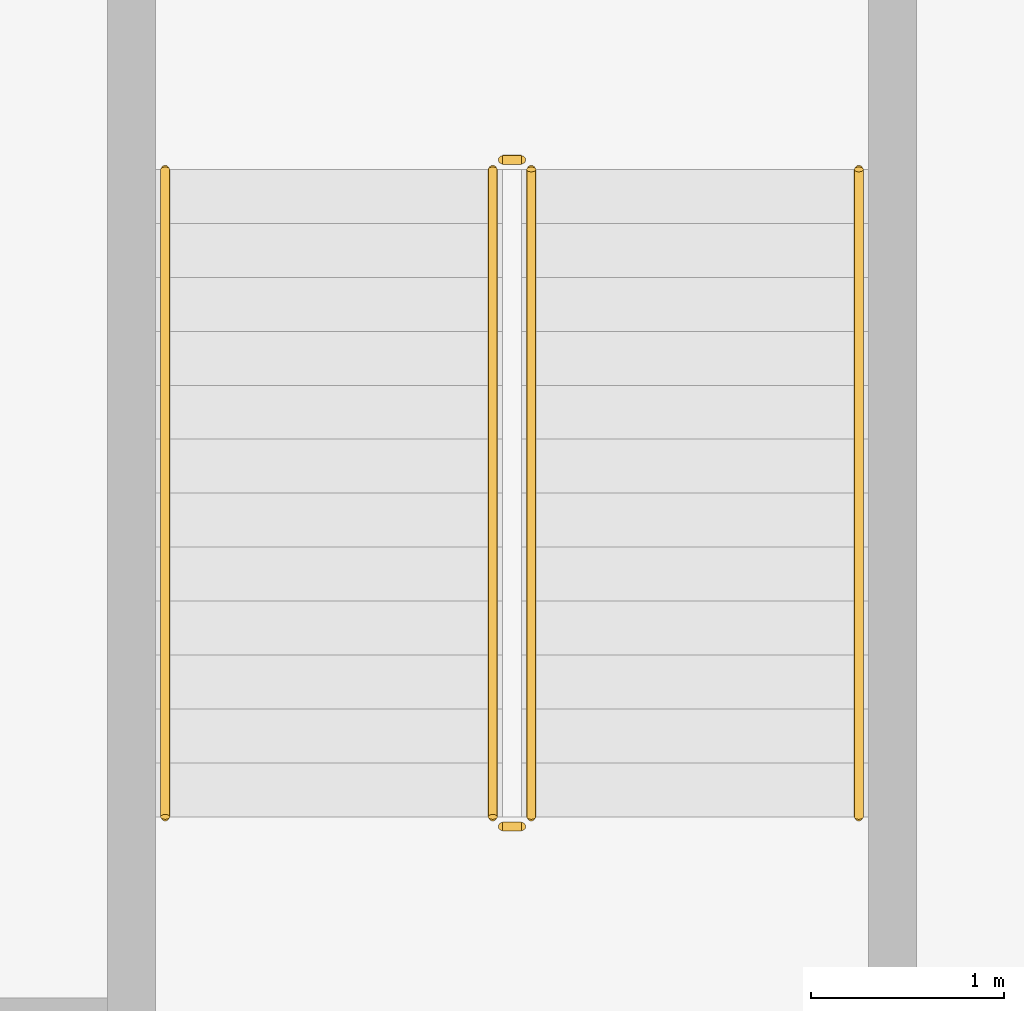
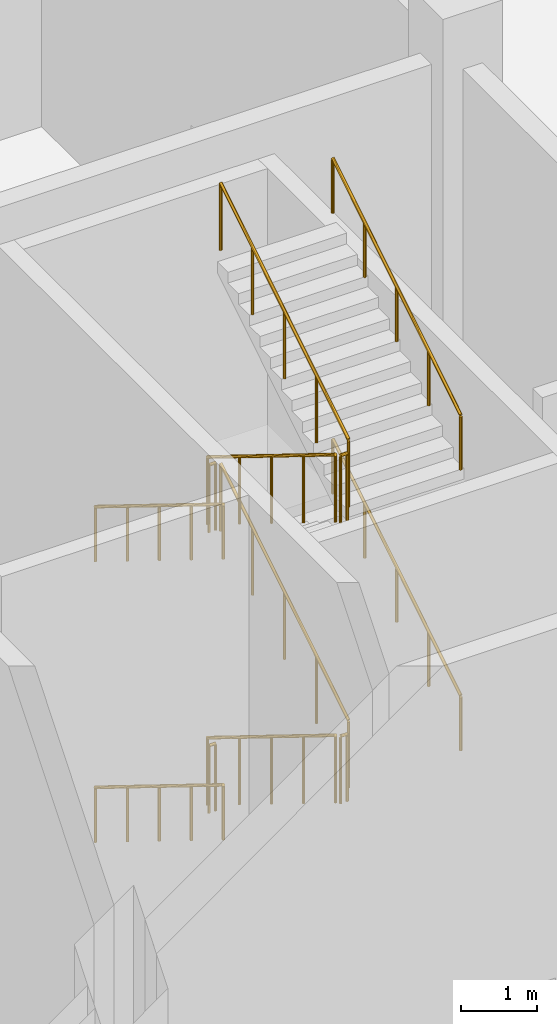
# One storey, part 37 of 43: 12 railings.
"""IFC4 building model written with IfcOpenShell, lengths in metres."""

from ifc_helpers import new_model, si_unit, direction, frame, origin, origin_2d, place, context, subcontext, project, spatial, circle, extrude, material, type_object, element, save


model = new_model("IFC4")

# Units and contexts
model_context = context("Model", 3, precision=1e-05, world=origin(), true_north=direction((0.0, 1.0)))
body_context = subcontext(model_context, "Body", "Model", "MODEL_VIEW")
ifc_project = project(units=[si_unit("LENGTHUNIT", "METRE"), si_unit("AREAUNIT", "SQUARE_METRE"), si_unit("VOLUMEUNIT", "CUBIC_METRE"), si_unit("PLANEANGLEUNIT", "RADIAN"), si_unit("MASSUNIT", "GRAM", prefix="KILO")], contexts=[model_context])

# Site, building, storey
site_placement = place(None, origin())
site = spatial("IfcSite", under=ifc_project, at=site_placement, CompositionType="ELEMENT")
building_placement = place(site_placement, origin())
building = spatial("IfcBuilding", under=site, at=building_placement, Name="Kilnfold Tower and Market Hall", CompositionType="ELEMENT")
storey_placement = place(building_placement, origin())
storey = spatial("IfcBuildingStorey", under=building, at=storey_placement, Name="L00", CompositionType="ELEMENT", Elevation=0.0)

# Railings
ifc_material_1 = material(Name="Steel S355", Category="steel")
railing_type_1 = type_object("IfcRailingType", Name="HALL STAIR GUARD 1100", PredefinedType="GUARDRAIL", material=ifc_material_1)
railing_1_placement = place(storey_placement, frame((-48.75, 13.300048828125, 0.173095703125)))
element("IfcRailing", 1, at=railing_1_placement, inside=storey, type_object=railing_type_1, Name="L00 MS2 stair guard 1", PredefinedType="GUARDRAIL", context=body_context, shape_type="SweptSolid", body=[
    extrude(circle(Radius=0.02392578125, at=origin_2d()), frame((0.0, 0.0, 1.076171875), z_axis=(0.0, -0.850623216509, 0.525775754039), x_axis=(1.0, 0.0, 0.0)), (0.0, 0.0, 1.0), 3.9501953125),
    extrude(circle(Radius=0.02099609375, at=origin_2d()), origin(), (0.0, 0.0, 1.0), 1.052001953125),
    extrude(circle(Radius=0.02099609375, at=origin_2d()), frame((0.0, -0.840087890625, 0.519287109375)), (0.0, 0.0, 1.0), 1.052001953125),
    extrude(circle(Radius=0.02099609375, at=origin_2d()), frame((0.0, -1.68017578125, 1.03857421875)), (0.0, 0.0, 1.0), 1.052001953125),
    extrude(circle(Radius=0.02099609375, at=origin_2d()), frame((0.0, -2.52001953125, 1.5576171875)), (0.0, 0.0, 1.0), 1.052001953125),
    extrude(circle(Radius=0.02099609375, at=origin_2d()), frame((0.0, -3.360107421875, 2.076904296875)), (0.0, 0.0, 1.0), 1.052001953125),
])
railing_2_placement = place(storey_placement, frame((-48.699951171875, 9.889892578125, 2.25)))
element("IfcRailing", 2, at=railing_2_placement, inside=storey, type_object=railing_type_1, Name="L00 MS2 stair guard 2", PredefinedType="GUARDRAIL", context=body_context, shape_type="SweptSolid", body=[
    extrude(circle(Radius=0.02392578125, at=origin_2d()), frame((0.0, 0.0, 1.076171875), z_axis=(1.0, 0.0, 0.0), x_axis=(0.0, 1.0, 0.0)), (0.0, 0.0, 1.0), 0.099853515625),
    extrude(circle(Radius=0.02099609375, at=origin_2d()), origin(), (0.0, 0.0, 1.0), 1.052001953125),
    extrude(circle(Radius=0.02099609375, at=origin_2d()), frame((0.099853515625, 0.0, 0.0)), (0.0, 0.0, 1.0), 1.052001953125),
])
railing_3_placement = place(storey_placement, frame((-48.550048828125, 9.93994140625, 2.423095703125)))
element("IfcRailing", 3, at=railing_3_placement, inside=storey, type_object=railing_type_1, Name="L00 MS2 stair guard 3", PredefinedType="GUARDRAIL", context=body_context, shape_type="SweptSolid", body=[
    extrude(circle(Radius=0.02392578125, at=origin_2d()), frame((0.0, 0.0, 1.076171875), z_axis=(0.0, 0.850623216509, 0.525775754039), x_axis=(-1.0, 0.0, 0.0)), (0.0, 0.0, 1.0), 3.9501953125),
    extrude(circle(Radius=0.02099609375, at=origin_2d()), origin(), (0.0, 0.0, 1.0), 1.052001953125),
    extrude(circle(Radius=0.02099609375, at=origin_2d()), frame((0.0, 0.840087890625, 0.519287109375)), (0.0, 0.0, 1.0), 1.052001953125),
    extrude(circle(Radius=0.02099609375, at=origin_2d()), frame((0.0, 1.68017578125, 1.03857421875)), (0.0, 0.0, 1.0), 1.052001953125),
    extrude(circle(Radius=0.02099609375, at=origin_2d()), frame((0.0, 2.52001953125, 1.5576171875)), (0.0, 0.0, 1.0), 1.052001953125),
    extrude(circle(Radius=0.02099609375, at=origin_2d()), frame((0.0, 3.360107421875, 2.076904296875)), (0.0, 0.0, 1.0), 1.052001953125),
])
railing_4_placement = place(storey_placement, frame((-48.699951171875, 13.35009765625, 4.5)))
element("IfcRailing", 4, at=railing_4_placement, inside=storey, type_object=railing_type_1, Name="L00 MS2 stair guard 4", PredefinedType="GUARDRAIL", context=body_context, shape_type="SweptSolid", body=[
    extrude(circle(Radius=0.02392578125, at=origin_2d()), frame((0.0, 0.0, 1.076171875), z_axis=(1.0, 0.0, 0.0), x_axis=(0.0, 1.0, 0.0)), (0.0, 0.0, 1.0), 0.099853515625),
    extrude(circle(Radius=0.02099609375, at=origin_2d()), origin(), (0.0, 0.0, 1.0), 1.052001953125),
    extrude(circle(Radius=0.02099609375, at=origin_2d()), frame((0.099853515625, 0.0, 0.0)), (0.0, 0.0, 1.0), 1.052001953125),
])
railing_5_placement = place(storey_placement, frame((-48.75, 13.300048828125, 4.673095703125)))
element("IfcRailing", 5, at=railing_5_placement, inside=storey, type_object=railing_type_1, Name="L00 MS2 stair guard 5", PredefinedType="GUARDRAIL", context=body_context, shape_type="SweptSolid", body=[
    extrude(circle(Radius=0.02392578125, at=origin_2d()), frame((0.0, 0.0, 1.076171875), z_axis=(0.0, -0.850623216509, 0.525775754039), x_axis=(1.0, 0.0, 0.0)), (0.0, 0.0, 1.0), 3.9501953125),
    extrude(circle(Radius=0.02099609375, at=origin_2d()), origin(), (0.0, 0.0, 1.0), 1.052001953125),
    extrude(circle(Radius=0.02099609375, at=origin_2d()), frame((0.0, -0.840087890625, 0.519287109375)), (0.0, 0.0, 1.0), 1.052001953125),
    extrude(circle(Radius=0.02099609375, at=origin_2d()), frame((0.0, -1.68017578125, 1.03857421875)), (0.0, 0.0, 1.0), 1.052001953125),
    extrude(circle(Radius=0.02099609375, at=origin_2d()), frame((0.0, -2.52001953125, 1.5576171875)), (0.0, 0.0, 1.0), 1.052001953125),
    extrude(circle(Radius=0.02099609375, at=origin_2d()), frame((0.0, -3.360107421875, 2.076904296875)), (0.0, 0.0, 1.0), 1.052001953125),
])
railing_6_placement = place(storey_placement, frame((-48.699951171875, 9.889892578125, 6.75)))
element("IfcRailing", 6, at=railing_6_placement, inside=storey, type_object=railing_type_1, Name="L00 MS2 stair guard 6", PredefinedType="GUARDRAIL", context=body_context, shape_type="SweptSolid", body=[
    extrude(circle(Radius=0.02392578125, at=origin_2d()), frame((0.0, 0.0, 1.076171875), z_axis=(1.0, 0.0, 0.0), x_axis=(0.0, 1.0, 0.0)), (0.0, 0.0, 1.0), 0.099853515625),
    extrude(circle(Radius=0.02099609375, at=origin_2d()), origin(), (0.0, 0.0, 1.0), 1.052001953125),
    extrude(circle(Radius=0.02099609375, at=origin_2d()), frame((0.099853515625, 0.0, 0.0)), (0.0, 0.0, 1.0), 1.052001953125),
])
railing_7_placement = place(storey_placement, frame((-48.550048828125, 9.93994140625, 6.923095703125)))
element("IfcRailing", 7, at=railing_7_placement, inside=storey, type_object=railing_type_1, Name="L00 MS2 stair guard 7", PredefinedType="GUARDRAIL", context=body_context, shape_type="SweptSolid", body=[
    extrude(circle(Radius=0.02392578125, at=origin_2d()), frame((0.0, 0.0, 1.076171875), z_axis=(0.0, 0.850623216509, 0.525775754039), x_axis=(-1.0, 0.0, 0.0)), (0.0, 0.0, 1.0), 3.9501953125),
    extrude(circle(Radius=0.02099609375, at=origin_2d()), origin(), (0.0, 0.0, 1.0), 1.052001953125),
    extrude(circle(Radius=0.02099609375, at=origin_2d()), frame((0.0, 0.840087890625, 0.519287109375)), (0.0, 0.0, 1.0), 1.052001953125),
    extrude(circle(Radius=0.02099609375, at=origin_2d()), frame((0.0, 1.68017578125, 1.03857421875)), (0.0, 0.0, 1.0), 1.052001953125),
    extrude(circle(Radius=0.02099609375, at=origin_2d()), frame((0.0, 2.52001953125, 1.5576171875)), (0.0, 0.0, 1.0), 1.052001953125),
    extrude(circle(Radius=0.02099609375, at=origin_2d()), frame((0.0, 3.360107421875, 2.076904296875)), (0.0, 0.0, 1.0), 1.052001953125),
])
railing_8_placement = place(storey_placement, frame((-48.699951171875, 13.35009765625, 0.0)))
element("IfcRailing", 8, at=railing_8_placement, inside=storey, type_object=railing_type_1, Name="L00 MS2 stair guard 8", PredefinedType="GUARDRAIL", context=body_context, shape_type="SweptSolid", body=[
    extrude(circle(Radius=0.02392578125, at=origin_2d()), frame((0.0, 0.0, 1.076171875), z_axis=(1.0, 0.0, 0.0), x_axis=(0.0, 1.0, 0.0)), (0.0, 0.0, 1.0), 0.099853515625),
    extrude(circle(Radius=0.02099609375, at=origin_2d()), origin(), (0.0, 0.0, 1.0), 1.052001953125),
    extrude(circle(Radius=0.02099609375, at=origin_2d()), frame((0.099853515625, 0.0, 0.0)), (0.0, 0.0, 1.0), 1.052001953125),
])
ifc_material_2 = material(Name="Steel S355", Category="steel")
railing_type_2 = type_object("IfcRailingType", Name="HALL STAIR HANDRAIL", PredefinedType="HANDRAIL", material=ifc_material_2)
railing_9_placement = place(storey_placement, frame((-50.449951171875, 13.300048828125, 0.173095703125)))
element("IfcRailing", 9, at=railing_9_placement, inside=storey, type_object=railing_type_2, Name="L00 MS2 stair handrail 1", PredefinedType="HANDRAIL", context=body_context, shape_type="SweptSolid", body=[
    extrude(circle(Radius=0.02392578125, at=origin_2d()), frame((0.0, 0.0, 0.8759765625), z_axis=(0.0, -0.850623216509, 0.525775754039), x_axis=(1.0, 0.0, 0.0)), (0.0, 0.0, 1.0), 3.9501953125),
    extrude(circle(Radius=0.02099609375, at=origin_2d()), origin(), (0.0, 0.0, 1.0), 0.851806640625),
    extrude(circle(Radius=0.02099609375, at=origin_2d()), frame((0.0, -0.840087890625, 0.519287109375)), (0.0, 0.0, 1.0), 0.851806640625),
    extrude(circle(Radius=0.02099609375, at=origin_2d()), frame((0.0, -1.68017578125, 1.03857421875)), (0.0, 0.0, 1.0), 0.851806640625),
    extrude(circle(Radius=0.02099609375, at=origin_2d()), frame((0.0, -2.52001953125, 1.5576171875)), (0.0, 0.0, 1.0), 0.851806640625),
    extrude(circle(Radius=0.02099609375, at=origin_2d()), frame((0.0, -3.360107421875, 2.076904296875)), (0.0, 0.0, 1.0), 0.851806640625),
])
railing_10_placement = place(storey_placement, frame((-46.85009765625, 9.93994140625, 2.423095703125)))
element("IfcRailing", 10, at=railing_10_placement, inside=storey, type_object=railing_type_2, Name="L00 MS2 stair handrail 2", PredefinedType="HANDRAIL", context=body_context, shape_type="SweptSolid", body=[
    extrude(circle(Radius=0.02392578125, at=origin_2d()), frame((0.0, 0.0, 0.8759765625), z_axis=(0.0, 0.850623216509, 0.525775754039), x_axis=(-1.0, 0.0, 0.0)), (0.0, 0.0, 1.0), 3.9501953125),
    extrude(circle(Radius=0.02099609375, at=origin_2d()), origin(), (0.0, 0.0, 1.0), 0.851806640625),
    extrude(circle(Radius=0.02099609375, at=origin_2d()), frame((0.0, 0.840087890625, 0.519287109375)), (0.0, 0.0, 1.0), 0.851806640625),
    extrude(circle(Radius=0.02099609375, at=origin_2d()), frame((0.0, 1.68017578125, 1.03857421875)), (0.0, 0.0, 1.0), 0.851806640625),
    extrude(circle(Radius=0.02099609375, at=origin_2d()), frame((0.0, 2.52001953125, 1.5576171875)), (0.0, 0.0, 1.0), 0.851806640625),
    extrude(circle(Radius=0.02099609375, at=origin_2d()), frame((0.0, 3.360107421875, 2.076904296875)), (0.0, 0.0, 1.0), 0.851806640625),
])
railing_11_placement = place(storey_placement, frame((-50.449951171875, 13.300048828125, 4.673095703125)))
element("IfcRailing", 11, at=railing_11_placement, inside=storey, type_object=railing_type_2, Name="L00 MS2 stair handrail 3", PredefinedType="HANDRAIL", context=body_context, shape_type="SweptSolid", body=[
    extrude(circle(Radius=0.02392578125, at=origin_2d()), frame((0.0, 0.0, 0.8759765625), z_axis=(0.0, -0.850623216509, 0.525775754039), x_axis=(1.0, 0.0, 0.0)), (0.0, 0.0, 1.0), 3.9501953125),
    extrude(circle(Radius=0.02099609375, at=origin_2d()), origin(), (0.0, 0.0, 1.0), 0.851806640625),
    extrude(circle(Radius=0.02099609375, at=origin_2d()), frame((0.0, -0.840087890625, 0.519287109375)), (0.0, 0.0, 1.0), 0.851806640625),
    extrude(circle(Radius=0.02099609375, at=origin_2d()), frame((0.0, -1.68017578125, 1.03857421875)), (0.0, 0.0, 1.0), 0.851806640625),
    extrude(circle(Radius=0.02099609375, at=origin_2d()), frame((0.0, -2.52001953125, 1.5576171875)), (0.0, 0.0, 1.0), 0.851806640625),
    extrude(circle(Radius=0.02099609375, at=origin_2d()), frame((0.0, -3.360107421875, 2.076904296875)), (0.0, 0.0, 1.0), 0.851806640625),
])
railing_12_placement = place(storey_placement, frame((-46.85009765625, 9.93994140625, 6.923095703125)))
element("IfcRailing", 12, at=railing_12_placement, inside=storey, type_object=railing_type_2, Name="L00 MS2 stair handrail 4", PredefinedType="HANDRAIL", context=body_context, shape_type="SweptSolid", body=[
    extrude(circle(Radius=0.02392578125, at=origin_2d()), frame((0.0, 0.0, 0.8759765625), z_axis=(0.0, 0.850623216509, 0.525775754039), x_axis=(-1.0, 0.0, 0.0)), (0.0, 0.0, 1.0), 3.9501953125),
    extrude(circle(Radius=0.02099609375, at=origin_2d()), origin(), (0.0, 0.0, 1.0), 0.851806640625),
    extrude(circle(Radius=0.02099609375, at=origin_2d()), frame((0.0, 0.840087890625, 0.519287109375)), (0.0, 0.0, 1.0), 0.851806640625),
    extrude(circle(Radius=0.02099609375, at=origin_2d()), frame((0.0, 1.68017578125, 1.03857421875)), (0.0, 0.0, 1.0), 0.851806640625),
    extrude(circle(Radius=0.02099609375, at=origin_2d()), frame((0.0, 2.52001953125, 1.5576171875)), (0.0, 0.0, 1.0), 0.851806640625),
    extrude(circle(Radius=0.02099609375, at=origin_2d()), frame((0.0, 3.360107421875, 2.076904296875)), (0.0, 0.0, 1.0), 0.851806640625),
])

save(model, "model.ifc")
